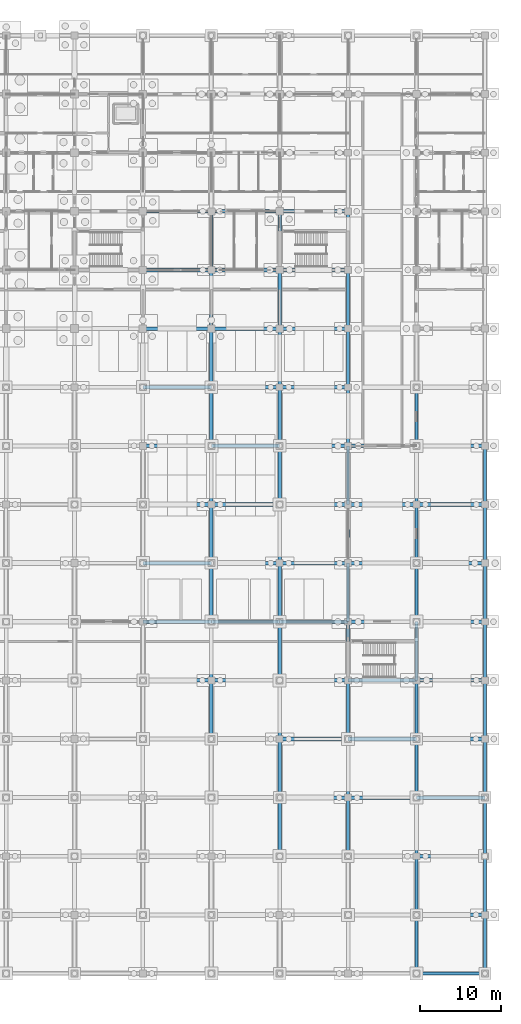
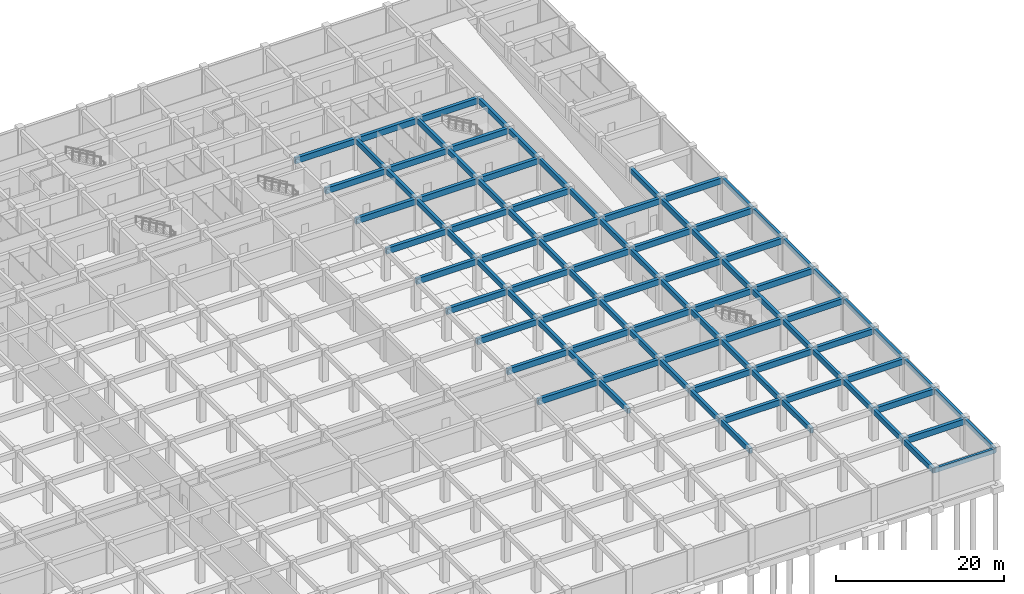
# One storey, part 24 of 85: 96 beams.
"""IFC4 building model written with IfcOpenShell, lengths in metres."""

from ifc_helpers import new_model, si_unit, direction, frame, origin, origin_2d, place, context, subcontext, project, spatial, rectangle, extrude, material, material_profile, profile_set, type_object, element, save


model = new_model("IFC4")

# Units and contexts
model_context = context("Model", 3, precision=1e-05, world=origin(), true_north=direction((0.0, 1.0)))
body_context = subcontext(model_context, "Body", "Model", "MODEL_VIEW")
ifc_project = project(units=[si_unit("LENGTHUNIT", "METRE"), si_unit("AREAUNIT", "SQUARE_METRE"), si_unit("VOLUMEUNIT", "CUBIC_METRE"), si_unit("PLANEANGLEUNIT", "RADIAN"), si_unit("MASSUNIT", "GRAM", prefix="KILO")], contexts=[model_context])

# Site, building, storey
site_placement = place(None, origin())
site = spatial("IfcSite", under=ifc_project, at=site_placement, CompositionType="ELEMENT")
building_placement = place(site_placement, origin())
building = spatial("IfcBuilding", under=site, at=building_placement, Name="Chengyuan Square Courthouse", CompositionType="ELEMENT")
storey_placement = place(building_placement, frame((0.0, 0.0, -10.199951171875)))
storey = spatial("IfcBuildingStorey", under=building, at=storey_placement, Name="B02", CompositionType="ELEMENT", Elevation=-10.199951171875)

# Beams
ifc_material = material(Name="Concrete C40", Category="concrete")
ifc_material_profile_1 = material_profile(ifc_material, rectangle(XDim=0.449951171875, YDim=0.85009765625, at=origin_2d()), Name="RC-BM-450x850")
ifc_profile_set_1 = profile_set([ifc_material_profile_1], Name="Concrete C40")
beam_type_1 = type_object("IfcBeamType", Name="BM-01", PredefinedType="USERDEFINED", material=ifc_profile_set_1)
for number, where, z_axis, x_axis, name in (
    (1, (159.60009765625, 7.199951171875, 4.054931640625), (1.0, 0.0, 0.0), (0.0, 1.0, 0.0), "Girder BM-B02-0040"),
    (2, (159.60009765625, 14.39990234375, 4.054931640625), (1.0, 0.0, 0.0), (0.0, 1.0, 0.0), "Girder BM-B02-0060"),
    (3, (142.800048828125, 21.60009765625, 4.054931640625), (1.0, 0.0, 0.0), (0.0, 1.0, 0.0), "Girder BM-B02-0078"),
):
    element("IfcBeam", number, at=place(storey_placement, frame(where, z_axis=z_axis, x_axis=x_axis)), inside=storey, type_object=beam_type_1, Name=name, ObjectType="GIRDER", PredefinedType="USERDEFINED", context=body_context, shape_type="SweptSolid", body=[
        extrude(rectangle(XDim=0.449951171875, YDim=0.85009765625, at=origin_2d()), origin(), (0.0, 0.0, 1.0), 8.39990234375),
    ])
beam_1_placement = place(storey_placement, frame((151.199951171875, 21.60009765625, 4.054931640625), z_axis=(1.0, 0.0, 0.0), x_axis=(0.0, 1.0, 0.0)))
element("IfcBeam", 4, at=beam_1_placement, inside=storey, type_object=beam_type_1, Name="Girder BM-B02-0079", ObjectType="GIRDER", PredefinedType="USERDEFINED", context=body_context, shape_type="SweptSolid", body=[
    extrude(rectangle(XDim=0.449951171875, YDim=0.85009765625, at=origin_2d()), origin(), (0.0, 0.0, 1.0), 8.400146484375),
])
for number, where, z_axis, x_axis, name in (
    (5, (159.60009765625, 21.60009765625, 4.054931640625), (1.0, 0.0, 0.0), (0.0, 1.0, 0.0), "Girder BM-B02-0080"),
    (6, (142.800048828125, 28.800048828125, 4.054931640625), (1.0, 0.0, 0.0), (0.0, 1.0, 0.0), "Girder BM-B02-0098"),
):
    element("IfcBeam", number, at=place(storey_placement, frame(where, z_axis=z_axis, x_axis=x_axis)), inside=storey, type_object=beam_type_1, Name=name, ObjectType="GIRDER", PredefinedType="USERDEFINED", context=body_context, shape_type="SweptSolid", body=[
        extrude(rectangle(XDim=0.449951171875, YDim=0.85009765625, at=origin_2d()), origin(), (0.0, 0.0, 1.0), 8.39990234375),
    ])
beam_2_placement = place(storey_placement, frame((151.199951171875, 28.800048828125, 4.054931640625), z_axis=(1.0, 0.0, 0.0), x_axis=(0.0, 1.0, 0.0)))
element("IfcBeam", 7, at=beam_2_placement, inside=storey, type_object=beam_type_1, Name="Girder BM-B02-0099", ObjectType="GIRDER", PredefinedType="USERDEFINED", context=body_context, shape_type="SweptSolid", body=[
    extrude(rectangle(XDim=0.449951171875, YDim=0.85009765625, at=origin_2d()), origin(), (0.0, 0.0, 1.0), 8.400146484375),
])
for number, where, z_axis, x_axis, name in (
    (8, (159.60009765625, 28.800048828125, 4.054931640625), (1.0, 0.0, 0.0), (0.0, 1.0, 0.0), "Girder BM-B02-0100"),
    (9, (126.0, 36.0, 4.054931640625), (1.0, 0.0, 0.0), (0.0, 1.0, 0.0), "Girder BM-B02-0116"),
):
    element("IfcBeam", number, at=place(storey_placement, frame(where, z_axis=z_axis, x_axis=x_axis)), inside=storey, type_object=beam_type_1, Name=name, ObjectType="GIRDER", PredefinedType="USERDEFINED", context=body_context, shape_type="SweptSolid", body=[
        extrude(rectangle(XDim=0.449951171875, YDim=0.85009765625, at=origin_2d()), origin(), (0.0, 0.0, 1.0), 8.39990234375),
    ])
beam_3_placement = place(storey_placement, frame((134.39990234375, 36.0, 4.054931640625), z_axis=(1.0, 0.0, 0.0), x_axis=(0.0, 1.0, 0.0)))
element("IfcBeam", 10, at=beam_3_placement, inside=storey, type_object=beam_type_1, Name="Girder BM-B02-0117", ObjectType="GIRDER", PredefinedType="USERDEFINED", context=body_context, shape_type="SweptSolid", body=[
    extrude(rectangle(XDim=0.449951171875, YDim=0.85009765625, at=origin_2d()), origin(), (0.0, 0.0, 1.0), 8.400146484375),
])
beam_4_placement = place(storey_placement, frame((142.800048828125, 36.0, 4.054931640625), z_axis=(1.0, 0.0, 0.0), x_axis=(0.0, 1.0, 0.0)))
element("IfcBeam", 11, at=beam_4_placement, inside=storey, type_object=beam_type_1, Name="Girder BM-B02-0118", ObjectType="GIRDER", PredefinedType="USERDEFINED", context=body_context, shape_type="SweptSolid", body=[
    extrude(rectangle(XDim=0.449951171875, YDim=0.85009765625, at=origin_2d()), origin(), (0.0, 0.0, 1.0), 8.39990234375),
])
beam_5_placement = place(storey_placement, frame((151.199951171875, 36.0, 4.054931640625), z_axis=(1.0, 0.0, 0.0), x_axis=(0.0, 1.0, 0.0)))
element("IfcBeam", 12, at=beam_5_placement, inside=storey, type_object=beam_type_1, Name="Girder BM-B02-0119", ObjectType="GIRDER", PredefinedType="USERDEFINED", context=body_context, shape_type="SweptSolid", body=[
    extrude(rectangle(XDim=0.449951171875, YDim=0.85009765625, at=origin_2d()), origin(), (0.0, 0.0, 1.0), 8.400146484375),
])
for number, where, z_axis, x_axis, name in (
    (13, (159.60009765625, 36.0, 4.054931640625), (1.0, 0.0, 0.0), (0.0, 1.0, 0.0), "Girder BM-B02-0120"),
    (14, (126.0, 43.199951171875, 4.054931640625), (1.0, 0.0, 0.0), (0.0, 1.0, 0.0), "Girder BM-B02-0136"),
):
    element("IfcBeam", number, at=place(storey_placement, frame(where, z_axis=z_axis, x_axis=x_axis)), inside=storey, type_object=beam_type_1, Name=name, ObjectType="GIRDER", PredefinedType="USERDEFINED", context=body_context, shape_type="SweptSolid", body=[
        extrude(rectangle(XDim=0.449951171875, YDim=0.85009765625, at=origin_2d()), origin(), (0.0, 0.0, 1.0), 8.39990234375),
    ])
beam_6_placement = place(storey_placement, frame((134.39990234375, 43.199951171875, 4.054931640625), z_axis=(1.0, 0.0, 0.0), x_axis=(0.0, 1.0, 0.0)))
element("IfcBeam", 15, at=beam_6_placement, inside=storey, type_object=beam_type_1, Name="Girder BM-B02-0137", ObjectType="GIRDER", PredefinedType="USERDEFINED", context=body_context, shape_type="SweptSolid", body=[
    extrude(rectangle(XDim=0.449951171875, YDim=0.85009765625, at=origin_2d()), origin(), (0.0, 0.0, 1.0), 8.400146484375),
])
beam_7_placement = place(storey_placement, frame((142.800048828125, 43.199951171875, 4.054931640625), z_axis=(1.0, 0.0, 0.0), x_axis=(0.0, 1.0, 0.0)))
element("IfcBeam", 16, at=beam_7_placement, inside=storey, type_object=beam_type_1, Name="Girder BM-B02-0138", ObjectType="GIRDER", PredefinedType="USERDEFINED", context=body_context, shape_type="SweptSolid", body=[
    extrude(rectangle(XDim=0.449951171875, YDim=0.85009765625, at=origin_2d()), origin(), (0.0, 0.0, 1.0), 8.39990234375),
])
beam_8_placement = place(storey_placement, frame((151.199951171875, 43.199951171875, 4.054931640625), z_axis=(1.0, 0.0, 0.0), x_axis=(0.0, 1.0, 0.0)))
element("IfcBeam", 17, at=beam_8_placement, inside=storey, type_object=beam_type_1, Name="Girder BM-B02-0139", ObjectType="GIRDER", PredefinedType="USERDEFINED", context=body_context, shape_type="SweptSolid", body=[
    extrude(rectangle(XDim=0.449951171875, YDim=0.85009765625, at=origin_2d()), origin(), (0.0, 0.0, 1.0), 8.400146484375),
])
for number, where, z_axis, x_axis, name in (
    (18, (159.60009765625, 43.199951171875, 4.054931640625), (1.0, 0.0, 0.0), (0.0, 1.0, 0.0), "Girder BM-B02-0140"),
    (19, (126.0, 50.39990234375, 4.054931640625), (1.0, 0.0, 0.0), (0.0, 1.0, 0.0), "Girder BM-B02-0156"),
):
    element("IfcBeam", number, at=place(storey_placement, frame(where, z_axis=z_axis, x_axis=x_axis)), inside=storey, type_object=beam_type_1, Name=name, ObjectType="GIRDER", PredefinedType="USERDEFINED", context=body_context, shape_type="SweptSolid", body=[
        extrude(rectangle(XDim=0.449951171875, YDim=0.85009765625, at=origin_2d()), origin(), (0.0, 0.0, 1.0), 8.39990234375),
    ])
beam_9_placement = place(storey_placement, frame((134.39990234375, 50.39990234375, 4.054931640625), z_axis=(1.0, 0.0, 0.0), x_axis=(0.0, 1.0, 0.0)))
element("IfcBeam", 20, at=beam_9_placement, inside=storey, type_object=beam_type_1, Name="Girder BM-B02-0157", ObjectType="GIRDER", PredefinedType="USERDEFINED", context=body_context, shape_type="SweptSolid", body=[
    extrude(rectangle(XDim=0.449951171875, YDim=0.85009765625, at=origin_2d()), origin(), (0.0, 0.0, 1.0), 8.400146484375),
])
beam_10_placement = place(storey_placement, frame((142.800048828125, 50.39990234375, 4.054931640625), z_axis=(1.0, 0.0, 0.0), x_axis=(0.0, 1.0, 0.0)))
element("IfcBeam", 21, at=beam_10_placement, inside=storey, type_object=beam_type_1, Name="Girder BM-B02-0158", ObjectType="GIRDER", PredefinedType="USERDEFINED", context=body_context, shape_type="SweptSolid", body=[
    extrude(rectangle(XDim=0.449951171875, YDim=0.85009765625, at=origin_2d()), origin(), (0.0, 0.0, 1.0), 8.39990234375),
])
beam_11_placement = place(storey_placement, frame((151.199951171875, 50.39990234375, 4.054931640625), z_axis=(1.0, 0.0, 0.0), x_axis=(0.0, 1.0, 0.0)))
element("IfcBeam", 22, at=beam_11_placement, inside=storey, type_object=beam_type_1, Name="Girder BM-B02-0159", ObjectType="GIRDER", PredefinedType="USERDEFINED", context=body_context, shape_type="SweptSolid", body=[
    extrude(rectangle(XDim=0.449951171875, YDim=0.85009765625, at=origin_2d()), origin(), (0.0, 0.0, 1.0), 8.400146484375),
])
for number, where, z_axis, x_axis, name in (
    (23, (159.60009765625, 50.39990234375, 4.054931640625), (1.0, 0.0, 0.0), (0.0, 1.0, 0.0), "Girder BM-B02-0160"),
    (24, (126.0, 57.60009765625, 4.054931640625), (1.0, 0.0, 0.0), (0.0, 1.0, 0.0), "Girder BM-B02-0176"),
):
    element("IfcBeam", number, at=place(storey_placement, frame(where, z_axis=z_axis, x_axis=x_axis)), inside=storey, type_object=beam_type_1, Name=name, ObjectType="GIRDER", PredefinedType="USERDEFINED", context=body_context, shape_type="SweptSolid", body=[
        extrude(rectangle(XDim=0.449951171875, YDim=0.85009765625, at=origin_2d()), origin(), (0.0, 0.0, 1.0), 8.39990234375),
    ])
beam_12_placement = place(storey_placement, frame((134.39990234375, 57.60009765625, 4.054931640625), z_axis=(1.0, 0.0, 0.0), x_axis=(0.0, 1.0, 0.0)))
element("IfcBeam", 25, at=beam_12_placement, inside=storey, type_object=beam_type_1, Name="Girder BM-B02-0177", ObjectType="GIRDER", PredefinedType="USERDEFINED", context=body_context, shape_type="SweptSolid", body=[
    extrude(rectangle(XDim=0.449951171875, YDim=0.85009765625, at=origin_2d()), origin(), (0.0, 0.0, 1.0), 8.400146484375),
])
beam_13_placement = place(storey_placement, frame((142.800048828125, 57.60009765625, 4.054931640625), z_axis=(1.0, 0.0, 0.0), x_axis=(0.0, 1.0, 0.0)))
element("IfcBeam", 26, at=beam_13_placement, inside=storey, type_object=beam_type_1, Name="Girder BM-B02-0178", ObjectType="GIRDER", PredefinedType="USERDEFINED", context=body_context, shape_type="SweptSolid", body=[
    extrude(rectangle(XDim=0.449951171875, YDim=0.85009765625, at=origin_2d()), origin(), (0.0, 0.0, 1.0), 8.39990234375),
])
beam_14_placement = place(storey_placement, frame((151.199951171875, 57.60009765625, 4.054931640625), z_axis=(1.0, 0.0, 0.0), x_axis=(0.0, 1.0, 0.0)))
element("IfcBeam", 27, at=beam_14_placement, inside=storey, type_object=beam_type_1, Name="Girder BM-B02-0179", ObjectType="GIRDER", PredefinedType="USERDEFINED", context=body_context, shape_type="SweptSolid", body=[
    extrude(rectangle(XDim=0.449951171875, YDim=0.85009765625, at=origin_2d()), origin(), (0.0, 0.0, 1.0), 8.400146484375),
])
for number, where, z_axis, x_axis, name in (
    (28, (159.60009765625, 57.60009765625, 4.054931640625), (1.0, 0.0, 0.0), (0.0, 1.0, 0.0), "Girder BM-B02-0180"),
    (29, (126.0, 64.800048828125, 4.054931640625), (1.0, 0.0, 0.0), (0.0, 1.0, 0.0), "Girder BM-B02-0196"),
):
    element("IfcBeam", number, at=place(storey_placement, frame(where, z_axis=z_axis, x_axis=x_axis)), inside=storey, type_object=beam_type_1, Name=name, ObjectType="GIRDER", PredefinedType="USERDEFINED", context=body_context, shape_type="SweptSolid", body=[
        extrude(rectangle(XDim=0.449951171875, YDim=0.85009765625, at=origin_2d()), origin(), (0.0, 0.0, 1.0), 8.39990234375),
    ])
beam_15_placement = place(storey_placement, frame((134.39990234375, 64.800048828125, 4.054931640625), z_axis=(1.0, 0.0, 0.0), x_axis=(0.0, 1.0, 0.0)))
element("IfcBeam", 30, at=beam_15_placement, inside=storey, type_object=beam_type_1, Name="Girder BM-B02-0197", ObjectType="GIRDER", PredefinedType="USERDEFINED", context=body_context, shape_type="SweptSolid", body=[
    extrude(rectangle(XDim=0.449951171875, YDim=0.85009765625, at=origin_2d()), origin(), (0.0, 0.0, 1.0), 8.400146484375),
])
beam_16_placement = place(storey_placement, frame((142.800048828125, 64.800048828125, 4.054931640625), z_axis=(1.0, 0.0, 0.0), x_axis=(0.0, 1.0, 0.0)))
element("IfcBeam", 31, at=beam_16_placement, inside=storey, type_object=beam_type_1, Name="Girder BM-B02-0198", ObjectType="GIRDER", PredefinedType="USERDEFINED", context=body_context, shape_type="SweptSolid", body=[
    extrude(rectangle(XDim=0.449951171875, YDim=0.85009765625, at=origin_2d()), origin(), (0.0, 0.0, 1.0), 8.39990234375),
])
beam_17_placement = place(storey_placement, frame((151.199951171875, 64.800048828125, 4.054931640625), z_axis=(1.0, 0.0, 0.0), x_axis=(0.0, 1.0, 0.0)))
element("IfcBeam", 32, at=beam_17_placement, inside=storey, type_object=beam_type_1, Name="Girder BM-B02-0199", ObjectType="GIRDER", PredefinedType="USERDEFINED", context=body_context, shape_type="SweptSolid", body=[
    extrude(rectangle(XDim=0.449951171875, YDim=0.85009765625, at=origin_2d()), origin(), (0.0, 0.0, 1.0), 8.400146484375),
])
for number, where, z_axis, x_axis, name in (
    (33, (159.60009765625, 64.800048828125, 4.054931640625), (1.0, 0.0, 0.0), (0.0, 1.0, 0.0), "Girder BM-B02-0200"),
    (34, (126.0, 72.0, 4.054931640625), (1.0, 0.0, 0.0), (0.0, 1.0, 0.0), "Girder BM-B02-0216"),
):
    element("IfcBeam", number, at=place(storey_placement, frame(where, z_axis=z_axis, x_axis=x_axis)), inside=storey, type_object=beam_type_1, Name=name, ObjectType="GIRDER", PredefinedType="USERDEFINED", context=body_context, shape_type="SweptSolid", body=[
        extrude(rectangle(XDim=0.449951171875, YDim=0.85009765625, at=origin_2d()), origin(), (0.0, 0.0, 1.0), 8.39990234375),
    ])
beam_18_placement = place(storey_placement, frame((134.39990234375, 72.0, 4.054931640625), z_axis=(1.0, 0.0, 0.0), x_axis=(0.0, 1.0, 0.0)))
element("IfcBeam", 35, at=beam_18_placement, inside=storey, type_object=beam_type_1, Name="Girder BM-B02-0217", ObjectType="GIRDER", PredefinedType="USERDEFINED", context=body_context, shape_type="SweptSolid", body=[
    extrude(rectangle(XDim=0.449951171875, YDim=0.85009765625, at=origin_2d()), origin(), (0.0, 0.0, 1.0), 8.400146484375),
])
for number, where, z_axis, x_axis, name in (
    (36, (142.800048828125, 72.0, 4.054931640625), (1.0, 0.0, 0.0), (0.0, 1.0, 0.0), "Girder BM-B02-0218"),
    (37, (126.0, 79.199951171875, 4.054931640625), (1.0, 0.0, 0.0), (0.0, 1.0, 0.0), "Girder BM-B02-0235"),
):
    element("IfcBeam", number, at=place(storey_placement, frame(where, z_axis=z_axis, x_axis=x_axis)), inside=storey, type_object=beam_type_1, Name=name, ObjectType="GIRDER", PredefinedType="USERDEFINED", context=body_context, shape_type="SweptSolid", body=[
        extrude(rectangle(XDim=0.449951171875, YDim=0.85009765625, at=origin_2d()), origin(), (0.0, 0.0, 1.0), 8.39990234375),
    ])
beam_19_placement = place(storey_placement, frame((134.39990234375, 79.199951171875, 4.054931640625), z_axis=(1.0, 0.0, 0.0), x_axis=(0.0, 1.0, 0.0)))
element("IfcBeam", 38, at=beam_19_placement, inside=storey, type_object=beam_type_1, Name="Girder BM-B02-0236", ObjectType="GIRDER", PredefinedType="USERDEFINED", context=body_context, shape_type="SweptSolid", body=[
    extrude(rectangle(XDim=0.449951171875, YDim=0.85009765625, at=origin_2d()), origin(), (0.0, 0.0, 1.0), 8.400146484375),
])
for number, where, z_axis, x_axis, name in (
    (39, (142.800048828125, 79.199951171875, 4.054931640625), (1.0, 0.0, 0.0), (0.0, 1.0, 0.0), "Girder BM-B02-0237"),
    (40, (126.0, 86.39990234375, 4.054931640625), (1.0, 0.0, 0.0), (0.0, 1.0, 0.0), "Girder BM-B02-0254"),
):
    element("IfcBeam", number, at=place(storey_placement, frame(where, z_axis=z_axis, x_axis=x_axis)), inside=storey, type_object=beam_type_1, Name=name, ObjectType="GIRDER", PredefinedType="USERDEFINED", context=body_context, shape_type="SweptSolid", body=[
        extrude(rectangle(XDim=0.449951171875, YDim=0.85009765625, at=origin_2d()), origin(), (0.0, 0.0, 1.0), 8.39990234375),
    ])
beam_20_placement = place(storey_placement, frame((134.39990234375, 86.39990234375, 4.054931640625), z_axis=(1.0, 0.0, 0.0), x_axis=(0.0, 1.0, 0.0)))
element("IfcBeam", 41, at=beam_20_placement, inside=storey, type_object=beam_type_1, Name="Girder BM-B02-0255", ObjectType="GIRDER", PredefinedType="USERDEFINED", context=body_context, shape_type="SweptSolid", body=[
    extrude(rectangle(XDim=0.449951171875, YDim=0.85009765625, at=origin_2d()), origin(), (0.0, 0.0, 1.0), 8.400146484375),
])
for number, where, z_axis, x_axis, name in (
    (42, (142.800048828125, 86.39990234375, 4.054931640625), (1.0, 0.0, 0.0), (0.0, 1.0, 0.0), "Girder BM-B02-0256"),
    (43, (126.0, 93.60009765625, 4.054931640625), (1.0, 0.0, 0.0), (0.0, 1.0, 0.0), "Girder BM-B02-0273"),
):
    element("IfcBeam", number, at=place(storey_placement, frame(where, z_axis=z_axis, x_axis=x_axis)), inside=storey, type_object=beam_type_1, Name=name, ObjectType="GIRDER", PredefinedType="USERDEFINED", context=body_context, shape_type="SweptSolid", body=[
        extrude(rectangle(XDim=0.449951171875, YDim=0.85009765625, at=origin_2d()), origin(), (0.0, 0.0, 1.0), 8.39990234375),
    ])
beam_21_placement = place(storey_placement, frame((134.39990234375, 93.60009765625, 4.054931640625), z_axis=(1.0, 0.0, 0.0), x_axis=(0.0, 1.0, 0.0)))
element("IfcBeam", 44, at=beam_21_placement, inside=storey, type_object=beam_type_1, Name="Girder BM-B02-0274", ObjectType="GIRDER", PredefinedType="USERDEFINED", context=body_context, shape_type="SweptSolid", body=[
    extrude(rectangle(XDim=0.449951171875, YDim=0.85009765625, at=origin_2d()), origin(), (0.0, 0.0, 1.0), 8.400146484375),
])
beam_22_placement = place(storey_placement, frame((142.800048828125, 93.60009765625, 4.054931640625), z_axis=(1.0, 0.0, 0.0), x_axis=(0.0, 1.0, 0.0)))
element("IfcBeam", 45, at=beam_22_placement, inside=storey, type_object=beam_type_1, Name="Girder BM-B02-0275", ObjectType="GIRDER", PredefinedType="USERDEFINED", context=body_context, shape_type="SweptSolid", body=[
    extrude(rectangle(XDim=0.449951171875, YDim=0.85009765625, at=origin_2d()), origin(), (0.0, 0.0, 1.0), 8.39990234375),
])
ifc_material_profile_2 = material_profile(ifc_material, rectangle(XDim=0.39990234375, YDim=0.75, at=origin_2d()), Name="RC-BM-400x750")
ifc_profile_set_2 = profile_set([ifc_material_profile_2], Name="Concrete C40")
beam_type_2 = type_object("IfcBeamType", Name="BM-02", PredefinedType="USERDEFINED", material=ifc_profile_set_2)
for number, where, z_axis, x_axis, name in (
    (46, (134.39990234375, 28.800048828125, 4.10498046875), (0.0, 1.0, 0.0), (-1.0, 0.0, 0.0), "Girder BM-B02-0596"),
    (47, (134.39990234375, 36.0, 4.10498046875), (0.0, 1.0, 0.0), (-1.0, 0.0, 0.0), "Girder BM-B02-0597"),
    (48, (134.39990234375, 43.199951171875, 4.10498046875), (0.0, 1.0, 0.0), (-1.0, 0.0, 0.0), "Girder BM-B02-0598"),
):
    element("IfcBeam", number, at=place(storey_placement, frame(where, z_axis=z_axis, x_axis=x_axis)), inside=storey, type_object=beam_type_2, Name=name, ObjectType="GIRDER", PredefinedType="USERDEFINED", context=body_context, shape_type="SweptSolid", body=[
        extrude(rectangle(XDim=0.39990234375, YDim=0.75, at=origin_2d()), origin(), (0.0, 0.0, 1.0), 7.199951171875),
    ])
beam_23_placement = place(storey_placement, frame((134.39990234375, 50.39990234375, 4.10498046875), z_axis=(0.0, 1.0, 0.0), x_axis=(-1.0, 0.0, 0.0)))
element("IfcBeam", 49, at=beam_23_placement, inside=storey, type_object=beam_type_2, Name="Girder BM-B02-0599", ObjectType="GIRDER", PredefinedType="USERDEFINED", context=body_context, shape_type="SweptSolid", body=[
    extrude(rectangle(XDim=0.39990234375, YDim=0.75, at=origin_2d()), origin(), (0.0, 0.0, 1.0), 7.2001953125),
])
for number, where, z_axis, x_axis, name in (
    (50, (134.39990234375, 57.60009765625, 4.10498046875), (0.0, 1.0, 0.0), (-1.0, 0.0, 0.0), "Girder BM-B02-0600"),
    (51, (134.39990234375, 64.800048828125, 4.10498046875), (0.0, 1.0, 0.0), (-1.0, 0.0, 0.0), "Girder BM-B02-0601"),
    (52, (134.39990234375, 72.0, 4.10498046875), (0.0, 1.0, 0.0), (-1.0, 0.0, 0.0), "Girder BM-B02-0602"),
    (53, (134.39990234375, 79.199951171875, 4.10498046875), (0.0, 1.0, 0.0), (-1.0, 0.0, 0.0), "Girder BM-B02-0603"),
):
    element("IfcBeam", number, at=place(storey_placement, frame(where, z_axis=z_axis, x_axis=x_axis)), inside=storey, type_object=beam_type_2, Name=name, ObjectType="GIRDER", PredefinedType="USERDEFINED", context=body_context, shape_type="SweptSolid", body=[
        extrude(rectangle(XDim=0.39990234375, YDim=0.75, at=origin_2d()), origin(), (0.0, 0.0, 1.0), 7.199951171875),
    ])
for number, where, z_axis, x_axis, name in (
    (54, (134.39990234375, 86.39990234375, 4.10498046875), (0.0, 1.0, 0.0), (-1.0, 0.0, 0.0), "Girder BM-B02-0604"),
    (55, (142.800048828125, 14.39990234375, 4.10498046875), (0.0, 1.0, 0.0), (-1.0, 0.0, 0.0), "Girder BM-B02-0610"),
):
    element("IfcBeam", number, at=place(storey_placement, frame(where, z_axis=z_axis, x_axis=x_axis)), inside=storey, type_object=beam_type_2, Name=name, ObjectType="GIRDER", PredefinedType="USERDEFINED", context=body_context, shape_type="SweptSolid", body=[
        extrude(rectangle(XDim=0.39990234375, YDim=0.75, at=origin_2d()), origin(), (0.0, 0.0, 1.0), 7.2001953125),
    ])
for number, where, z_axis, x_axis, name in (
    (56, (142.800048828125, 21.60009765625, 4.10498046875), (0.0, 1.0, 0.0), (-1.0, 0.0, 0.0), "Girder BM-B02-0611"),
    (57, (142.800048828125, 28.800048828125, 4.10498046875), (0.0, 1.0, 0.0), (-1.0, 0.0, 0.0), "Girder BM-B02-0612"),
    (58, (142.800048828125, 36.0, 4.10498046875), (0.0, 1.0, 0.0), (-1.0, 0.0, 0.0), "Girder BM-B02-0613"),
    (59, (142.800048828125, 43.199951171875, 4.10498046875), (0.0, 1.0, 0.0), (-1.0, 0.0, 0.0), "Girder BM-B02-0614"),
):
    element("IfcBeam", number, at=place(storey_placement, frame(where, z_axis=z_axis, x_axis=x_axis)), inside=storey, type_object=beam_type_2, Name=name, ObjectType="GIRDER", PredefinedType="USERDEFINED", context=body_context, shape_type="SweptSolid", body=[
        extrude(rectangle(XDim=0.39990234375, YDim=0.75, at=origin_2d()), origin(), (0.0, 0.0, 1.0), 7.199951171875),
    ])
beam_24_placement = place(storey_placement, frame((142.800048828125, 50.39990234375, 4.10498046875), z_axis=(0.0, 1.0, 0.0), x_axis=(-1.0, 0.0, 0.0)))
element("IfcBeam", 60, at=beam_24_placement, inside=storey, type_object=beam_type_2, Name="Girder BM-B02-0615", ObjectType="GIRDER", PredefinedType="USERDEFINED", context=body_context, shape_type="SweptSolid", body=[
    extrude(rectangle(XDim=0.39990234375, YDim=0.75, at=origin_2d()), origin(), (0.0, 0.0, 1.0), 7.2001953125),
])
for number, where, z_axis, x_axis, name in (
    (61, (142.800048828125, 57.60009765625, 4.10498046875), (0.0, 1.0, 0.0), (-1.0, 0.0, 0.0), "Girder BM-B02-0616"),
    (62, (142.800048828125, 64.800048828125, 4.10498046875), (0.0, 1.0, 0.0), (-1.0, 0.0, 0.0), "Girder BM-B02-0617"),
    (63, (142.800048828125, 72.0, 4.10498046875), (0.0, 1.0, 0.0), (-1.0, 0.0, 0.0), "Girder BM-B02-0618"),
    (64, (142.800048828125, 79.199951171875, 4.10498046875), (0.0, 1.0, 0.0), (-1.0, 0.0, 0.0), "Girder BM-B02-0619"),
):
    element("IfcBeam", number, at=place(storey_placement, frame(where, z_axis=z_axis, x_axis=x_axis)), inside=storey, type_object=beam_type_2, Name=name, ObjectType="GIRDER", PredefinedType="USERDEFINED", context=body_context, shape_type="SweptSolid", body=[
        extrude(rectangle(XDim=0.39990234375, YDim=0.75, at=origin_2d()), origin(), (0.0, 0.0, 1.0), 7.199951171875),
    ])
for number, where, z_axis, x_axis, name in (
    (65, (142.800048828125, 86.39990234375, 4.10498046875), (0.0, 1.0, 0.0), (-1.0, 0.0, 0.0), "Girder BM-B02-0620"),
    (66, (151.199951171875, 14.39990234375, 4.10498046875), (0.0, 1.0, 0.0), (-1.0, 0.0, 0.0), "Girder BM-B02-0626"),
):
    element("IfcBeam", number, at=place(storey_placement, frame(where, z_axis=z_axis, x_axis=x_axis)), inside=storey, type_object=beam_type_2, Name=name, ObjectType="GIRDER", PredefinedType="USERDEFINED", context=body_context, shape_type="SweptSolid", body=[
        extrude(rectangle(XDim=0.39990234375, YDim=0.75, at=origin_2d()), origin(), (0.0, 0.0, 1.0), 7.2001953125),
    ])
for number, where, z_axis, x_axis, name in (
    (67, (151.199951171875, 21.60009765625, 4.10498046875), (0.0, 1.0, 0.0), (-1.0, 0.0, 0.0), "Girder BM-B02-0627"),
    (68, (151.199951171875, 28.800048828125, 4.10498046875), (0.0, 1.0, 0.0), (-1.0, 0.0, 0.0), "Girder BM-B02-0628"),
    (69, (151.199951171875, 36.0, 4.10498046875), (0.0, 1.0, 0.0), (-1.0, 0.0, 0.0), "Girder BM-B02-0629"),
    (70, (151.199951171875, 43.199951171875, 4.10498046875), (0.0, 1.0, 0.0), (-1.0, 0.0, 0.0), "Girder BM-B02-0630"),
):
    element("IfcBeam", number, at=place(storey_placement, frame(where, z_axis=z_axis, x_axis=x_axis)), inside=storey, type_object=beam_type_2, Name=name, ObjectType="GIRDER", PredefinedType="USERDEFINED", context=body_context, shape_type="SweptSolid", body=[
        extrude(rectangle(XDim=0.39990234375, YDim=0.75, at=origin_2d()), origin(), (0.0, 0.0, 1.0), 7.199951171875),
    ])
beam_25_placement = place(storey_placement, frame((151.199951171875, 50.39990234375, 4.10498046875), z_axis=(0.0, 1.0, 0.0), x_axis=(-1.0, 0.0, 0.0)))
element("IfcBeam", 71, at=beam_25_placement, inside=storey, type_object=beam_type_2, Name="Girder BM-B02-0631", ObjectType="GIRDER", PredefinedType="USERDEFINED", context=body_context, shape_type="SweptSolid", body=[
    extrude(rectangle(XDim=0.39990234375, YDim=0.75, at=origin_2d()), origin(), (0.0, 0.0, 1.0), 7.2001953125),
])
for number, where, z_axis, x_axis, name in (
    (72, (151.199951171875, 57.60009765625, 4.10498046875), (0.0, 1.0, 0.0), (-1.0, 0.0, 0.0), "Girder BM-B02-0632"),
    (73, (151.199951171875, 64.800048828125, 4.10498046875), (0.0, 1.0, 0.0), (-1.0, 0.0, 0.0), "Girder BM-B02-0633"),
    (74, (151.199951171875, 72.0, 4.10498046875), (0.0, 1.0, 0.0), (-1.0, 0.0, 0.0), "Girder BM-B02-0634"),
    (75, (151.199951171875, 79.199951171875, 4.10498046875), (0.0, 1.0, 0.0), (-1.0, 0.0, 0.0), "Girder BM-B02-0635"),
):
    element("IfcBeam", number, at=place(storey_placement, frame(where, z_axis=z_axis, x_axis=x_axis)), inside=storey, type_object=beam_type_2, Name=name, ObjectType="GIRDER", PredefinedType="USERDEFINED", context=body_context, shape_type="SweptSolid", body=[
        extrude(rectangle(XDim=0.39990234375, YDim=0.75, at=origin_2d()), origin(), (0.0, 0.0, 1.0), 7.199951171875),
    ])
beam_26_placement = place(storey_placement, frame((151.199951171875, 86.39990234375, 4.10498046875), z_axis=(0.0, 1.0, 0.0), x_axis=(-1.0, 0.0, 0.0)))
element("IfcBeam", 76, at=beam_26_placement, inside=storey, type_object=beam_type_2, Name="Girder BM-B02-0636", ObjectType="GIRDER", PredefinedType="USERDEFINED", context=body_context, shape_type="SweptSolid", body=[
    extrude(rectangle(XDim=0.39990234375, YDim=0.75, at=origin_2d()), origin(), (0.0, 0.0, 1.0), 7.2001953125),
])
for number, where, z_axis, x_axis, name in (
    (77, (159.60009765625, 0.0, 4.10498046875), (0.0, 1.0, 0.0), (-1.0, 0.0, 0.0), "Girder BM-B02-0640"),
    (78, (159.60009765625, 7.199951171875, 4.10498046875), (0.0, 1.0, 0.0), (-1.0, 0.0, 0.0), "Girder BM-B02-0641"),
):
    element("IfcBeam", number, at=place(storey_placement, frame(where, z_axis=z_axis, x_axis=x_axis)), inside=storey, type_object=beam_type_2, Name=name, ObjectType="GIRDER", PredefinedType="USERDEFINED", context=body_context, shape_type="SweptSolid", body=[
        extrude(rectangle(XDim=0.39990234375, YDim=0.75, at=origin_2d()), origin(), (0.0, 0.0, 1.0), 7.199951171875),
    ])
beam_27_placement = place(storey_placement, frame((159.60009765625, 14.39990234375, 4.10498046875), z_axis=(0.0, 1.0, 0.0), x_axis=(-1.0, 0.0, 0.0)))
element("IfcBeam", 79, at=beam_27_placement, inside=storey, type_object=beam_type_2, Name="Girder BM-B02-0642", ObjectType="GIRDER", PredefinedType="USERDEFINED", context=body_context, shape_type="SweptSolid", body=[
    extrude(rectangle(XDim=0.39990234375, YDim=0.75, at=origin_2d()), origin(), (0.0, 0.0, 1.0), 7.2001953125),
])
for number, where, z_axis, x_axis, name in (
    (80, (159.60009765625, 21.60009765625, 4.10498046875), (0.0, 1.0, 0.0), (-1.0, 0.0, 0.0), "Girder BM-B02-0643"),
    (81, (159.60009765625, 28.800048828125, 4.10498046875), (0.0, 1.0, 0.0), (-1.0, 0.0, 0.0), "Girder BM-B02-0644"),
    (82, (159.60009765625, 36.0, 4.10498046875), (0.0, 1.0, 0.0), (-1.0, 0.0, 0.0), "Girder BM-B02-0645"),
    (83, (159.60009765625, 43.199951171875, 4.10498046875), (0.0, 1.0, 0.0), (-1.0, 0.0, 0.0), "Girder BM-B02-0646"),
):
    element("IfcBeam", number, at=place(storey_placement, frame(where, z_axis=z_axis, x_axis=x_axis)), inside=storey, type_object=beam_type_2, Name=name, ObjectType="GIRDER", PredefinedType="USERDEFINED", context=body_context, shape_type="SweptSolid", body=[
        extrude(rectangle(XDim=0.39990234375, YDim=0.75, at=origin_2d()), origin(), (0.0, 0.0, 1.0), 7.199951171875),
    ])
beam_28_placement = place(storey_placement, frame((159.60009765625, 50.39990234375, 4.10498046875), z_axis=(0.0, 1.0, 0.0), x_axis=(-1.0, 0.0, 0.0)))
element("IfcBeam", 84, at=beam_28_placement, inside=storey, type_object=beam_type_2, Name="Girder BM-B02-0647", ObjectType="GIRDER", PredefinedType="USERDEFINED", context=body_context, shape_type="SweptSolid", body=[
    extrude(rectangle(XDim=0.39990234375, YDim=0.75, at=origin_2d()), origin(), (0.0, 0.0, 1.0), 7.2001953125),
])
for number, where, z_axis, x_axis, name in (
    (85, (159.60009765625, 57.60009765625, 4.10498046875), (0.0, 1.0, 0.0), (-1.0, 0.0, 0.0), "Girder BM-B02-0648"),
    (86, (159.60009765625, 64.800048828125, 4.10498046875), (0.0, 1.0, 0.0), (-1.0, 0.0, 0.0), "Girder BM-B02-0649"),
):
    element("IfcBeam", number, at=place(storey_placement, frame(where, z_axis=z_axis, x_axis=x_axis)), inside=storey, type_object=beam_type_2, Name=name, ObjectType="GIRDER", PredefinedType="USERDEFINED", context=body_context, shape_type="SweptSolid", body=[
        extrude(rectangle(XDim=0.39990234375, YDim=0.75, at=origin_2d()), origin(), (0.0, 0.0, 1.0), 7.199951171875),
    ])
ifc_material_profile_3 = material_profile(ifc_material, rectangle(XDim=0.35009765625, YDim=0.64990234375, at=origin_2d()), Name="RC-BM-350x650")
ifc_profile_set_3 = profile_set([ifc_material_profile_3], Name="Concrete C40")
beam_type_3 = type_object("IfcBeamType", Name="BM-03", PredefinedType="SPANDREL", material=ifc_profile_set_3)
beam_29_placement = place(storey_placement, frame((159.60009765625, 0.0, 4.155029296875), z_axis=(1.0, 0.0, 0.0), x_axis=(0.0, 1.0, 0.0)))
element("IfcBeam", 87, at=beam_29_placement, inside=storey, type_object=beam_type_3, Name="Girder BM-B02-0020", PredefinedType="SPANDREL", context=body_context, shape_type="SweptSolid", body=[
    extrude(rectangle(XDim=0.35009765625, YDim=0.64990234375, at=origin_2d()), origin(), (0.0, 0.0, 1.0), 8.39990234375),
])
for number, where, z_axis, x_axis, name in (
    (88, (168.0, 0.0, 4.155029296875), (0.0, 1.0, 0.0), (-1.0, 0.0, 0.0), "Girder BM-B02-0656"),
    (89, (168.0, 7.199951171875, 4.155029296875), (0.0, 1.0, 0.0), (-1.0, 0.0, 0.0), "Girder BM-B02-0657"),
):
    element("IfcBeam", number, at=place(storey_placement, frame(where, z_axis=z_axis, x_axis=x_axis)), inside=storey, type_object=beam_type_3, Name=name, PredefinedType="SPANDREL", context=body_context, shape_type="SweptSolid", body=[
        extrude(rectangle(XDim=0.35009765625, YDim=0.64990234375, at=origin_2d()), origin(), (0.0, 0.0, 1.0), 7.199951171875),
    ])
beam_30_placement = place(storey_placement, frame((168.0, 14.39990234375, 4.155029296875), z_axis=(0.0, 1.0, 0.0), x_axis=(-1.0, 0.0, 0.0)))
element("IfcBeam", 90, at=beam_30_placement, inside=storey, type_object=beam_type_3, Name="Girder BM-B02-0658", PredefinedType="SPANDREL", context=body_context, shape_type="SweptSolid", body=[
    extrude(rectangle(XDim=0.35009765625, YDim=0.64990234375, at=origin_2d()), origin(), (0.0, 0.0, 1.0), 7.2001953125),
])
for number, where, z_axis, x_axis, name in (
    (91, (168.0, 21.60009765625, 4.155029296875), (0.0, 1.0, 0.0), (-1.0, 0.0, 0.0), "Girder BM-B02-0659"),
    (92, (168.0, 28.800048828125, 4.155029296875), (0.0, 1.0, 0.0), (-1.0, 0.0, 0.0), "Girder BM-B02-0660"),
    (93, (168.0, 36.0, 4.155029296875), (0.0, 1.0, 0.0), (-1.0, 0.0, 0.0), "Girder BM-B02-0661"),
    (94, (168.0, 43.199951171875, 4.155029296875), (0.0, 1.0, 0.0), (-1.0, 0.0, 0.0), "Girder BM-B02-0662"),
):
    element("IfcBeam", number, at=place(storey_placement, frame(where, z_axis=z_axis, x_axis=x_axis)), inside=storey, type_object=beam_type_3, Name=name, PredefinedType="SPANDREL", context=body_context, shape_type="SweptSolid", body=[
        extrude(rectangle(XDim=0.35009765625, YDim=0.64990234375, at=origin_2d()), origin(), (0.0, 0.0, 1.0), 7.199951171875),
    ])
beam_31_placement = place(storey_placement, frame((168.0, 50.39990234375, 4.155029296875), z_axis=(0.0, 1.0, 0.0), x_axis=(-1.0, 0.0, 0.0)))
element("IfcBeam", 95, at=beam_31_placement, inside=storey, type_object=beam_type_3, Name="Girder BM-B02-0663", PredefinedType="SPANDREL", context=body_context, shape_type="SweptSolid", body=[
    extrude(rectangle(XDim=0.35009765625, YDim=0.64990234375, at=origin_2d()), origin(), (0.0, 0.0, 1.0), 7.2001953125),
])
beam_32_placement = place(storey_placement, frame((168.0, 57.60009765625, 4.155029296875), z_axis=(0.0, 1.0, 0.0), x_axis=(-1.0, 0.0, 0.0)))
element("IfcBeam", 96, at=beam_32_placement, inside=storey, type_object=beam_type_3, Name="Girder BM-B02-0664", PredefinedType="SPANDREL", context=body_context, shape_type="SweptSolid", body=[
    extrude(rectangle(XDim=0.35009765625, YDim=0.64990234375, at=origin_2d()), origin(), (0.0, 0.0, 1.0), 7.199951171875),
])

save(model, "model.ifc")
